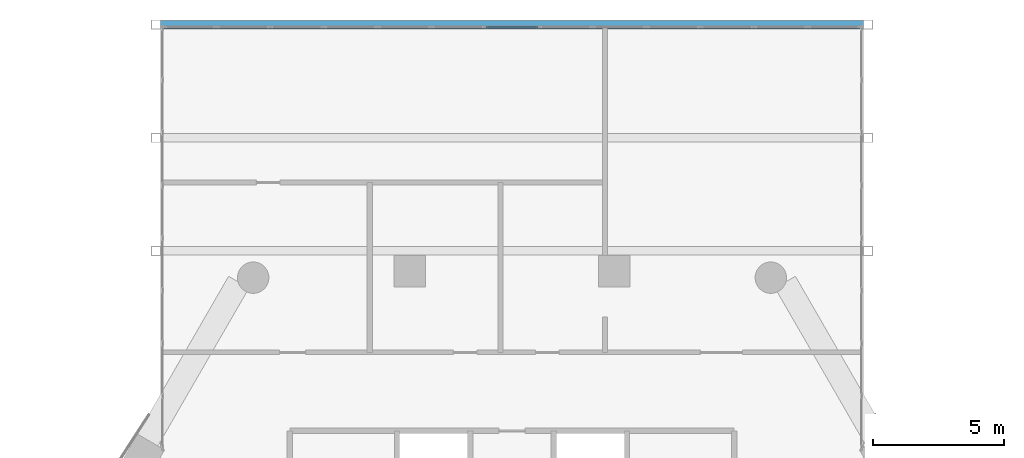
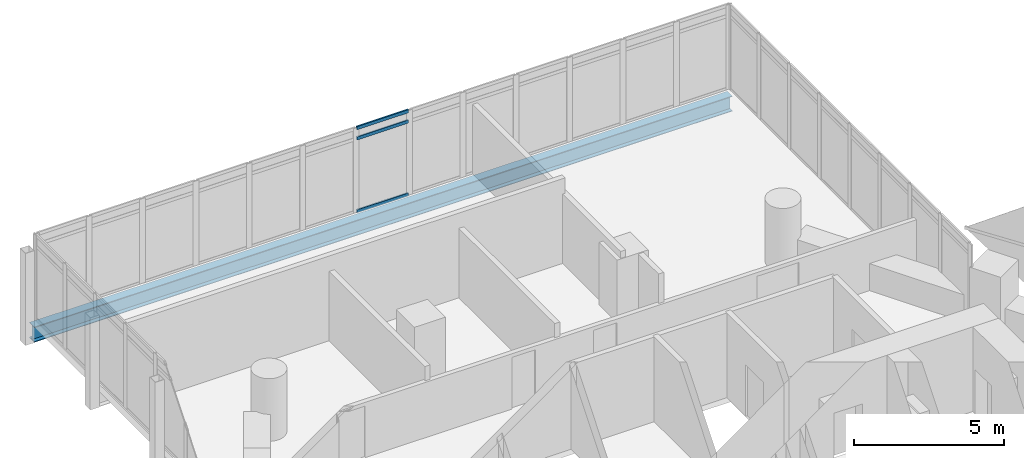
# One storey, part 19 of 36: 3 members, 1 beam, 1 element without a shape of its own.
"""IFC4 building model written with IfcOpenShell, lengths in metres."""

from ifc_helpers import new_model, si_unit, direction, frame, origin, origin_2d, place, context, subcontext, project, spatial, hollow_rectangle, i_section, extrude, material, material_profile, profile_set, type_object, element, aggregate, save


model = new_model("IFC4")

# Units and contexts
model_context = context("Model", 3, precision=1e-05, world=origin(), true_north=direction((0.0, 1.0)))
body_context = subcontext(model_context, "Body", "Model", "MODEL_VIEW")
ifc_project = project(units=[si_unit("LENGTHUNIT", "METRE"), si_unit("AREAUNIT", "SQUARE_METRE"), si_unit("VOLUMEUNIT", "CUBIC_METRE"), si_unit("PLANEANGLEUNIT", "RADIAN"), si_unit("MASSUNIT", "GRAM", prefix="KILO")], contexts=[model_context])

# Site, building, storey
site_placement = place(None, origin())
site = spatial("IfcSite", under=ifc_project, at=site_placement, CompositionType="ELEMENT")
building_placement = place(site_placement, origin())
building = spatial("IfcBuilding", under=site, at=building_placement, Name="Ostrander Bayou Hotel Tower", CompositionType="ELEMENT")
storey_placement = place(building_placement, frame((0.0, 0.0, 138.5)))
storey = spatial("IfcBuildingStorey", under=building, at=storey_placement, Name="L34", CompositionType="ELEMENT", Elevation=138.5)

# Curtain wall, members
ifc_material_1 = material(Name="Aluminium and clear glass", Category="aluminium")
curtain_wall_type = type_object("IfcCurtainWallType", Name="CW-BAR glazed wall", PredefinedType="NOTDEFINED", material=ifc_material_1)
curtain_wall_placement = place(storey_placement, origin())
curtain_wall = element("IfcCurtainWall", 1, at=curtain_wall_placement, inside=storey, type_object=curtain_wall_type, Name="CW-BAR L34:SB3N:T", PredefinedType="NOTDEFINED")
ifc_material_2 = material(Name="Aluminium", Category="aluminium")
ifc_material_profile_1 = material_profile(ifc_material_2, hollow_rectangle(XDim=0.06005859375, YDim=0.1298828125, WallThickness=0.00390625, at=origin_2d()))
ifc_profile_set_1 = profile_set([ifc_material_profile_1], Name="Aluminium")
member_type = type_object("IfcMemberType", Name="CW-BR transom 60 x 130 mm", PredefinedType="USERDEFINED", material=ifc_profile_set_1)
member_1_placement = place(storey_placement, frame((-0.998291015625, 29.037109375, 0.030029296875), z_axis=(1.0, 0.0, 0.0), x_axis=(0.0, 1.0, 0.0)))
member_1 = element("IfcMember", 2, at=member_1_placement, type_object=member_type, Name="CW-BAR transom 7.1", ObjectType="TRANSOM", PredefinedType="USERDEFINED", context=body_context, shape_type="SweptSolid", body=[
    extrude(hollow_rectangle(XDim=0.06005859375, YDim=0.1298828125, WallThickness=0.00390625, at=origin_2d()), origin(), (0.0, 0.0, 1.0), 1.99658203125),
])
member_2_placement = place(storey_placement, frame((-0.998291015625, 29.037109375, 3.0), z_axis=(1.0, 0.0, 0.0), x_axis=(0.0, 1.0, 0.0)))
member_2 = element("IfcMember", 3, at=member_2_placement, type_object=member_type, Name="CW-BAR transom 7.2", ObjectType="TRANSOM", PredefinedType="USERDEFINED", context=body_context, shape_type="SweptSolid", body=[
    extrude(hollow_rectangle(XDim=0.06005859375, YDim=0.1298828125, WallThickness=0.00390625, at=origin_2d()), origin(), (0.0, 0.0, 1.0), 1.99658203125),
])
member_3_placement = place(storey_placement, frame((-0.998291015625, 29.037109375, 3.419921875), z_axis=(1.0, 0.0, 0.0), x_axis=(0.0, 1.0, 0.0)))
member_3 = element("IfcMember", 4, at=member_3_placement, type_object=member_type, Name="CW-BAR transom 7.3", ObjectType="TRANSOM", PredefinedType="USERDEFINED", context=body_context, shape_type="SweptSolid", body=[
    extrude(hollow_rectangle(XDim=0.06005859375, YDim=0.1298828125, WallThickness=0.00390625, at=origin_2d()), origin(), (0.0, 0.0, 1.0), 1.99658203125),
])
aggregate(curtain_wall, [member_1, member_2, member_3])

# Beam
ifc_material_3 = material(Name="Steel ASTM A992", Category="steel")
ifc_material_profile_2 = material_profile(ifc_material_3, i_section(OverallWidth=0.32763671875, OverallDepth=0.621826171875, WebThickness=0.015380859375, FlangeThickness=0.0244140625, at=origin_2d()))
ifc_profile_set_2 = profile_set([ifc_material_profile_2], Name="Steel ASTM A992")
beam_type = type_object("IfcBeamType", Name="TF1 bar floor beam W24x131", PredefinedType="BEAM", material=ifc_profile_set_2)
beam_placement = place(storey_placement, frame((-13.442138671875, 29.13720703125, -0.61083984375), z_axis=(1.0, 0.0, 0.0), x_axis=(0.0, 1.0, 0.0)))
element("IfcBeam", 5, at=beam_placement, inside=storey, type_object=beam_type, Name="TF1 SB3W L3-1", PredefinedType="BEAM", context=body_context, shape_type="SweptSolid", body=[
    extrude(i_section(OverallWidth=0.32763671875, OverallDepth=0.621826171875, WebThickness=0.015380859375, FlangeThickness=0.0244140625, at=origin_2d()), origin(), (0.0, 0.0, 1.0), 26.88427734375),
])

save(model, "model.ifc")
